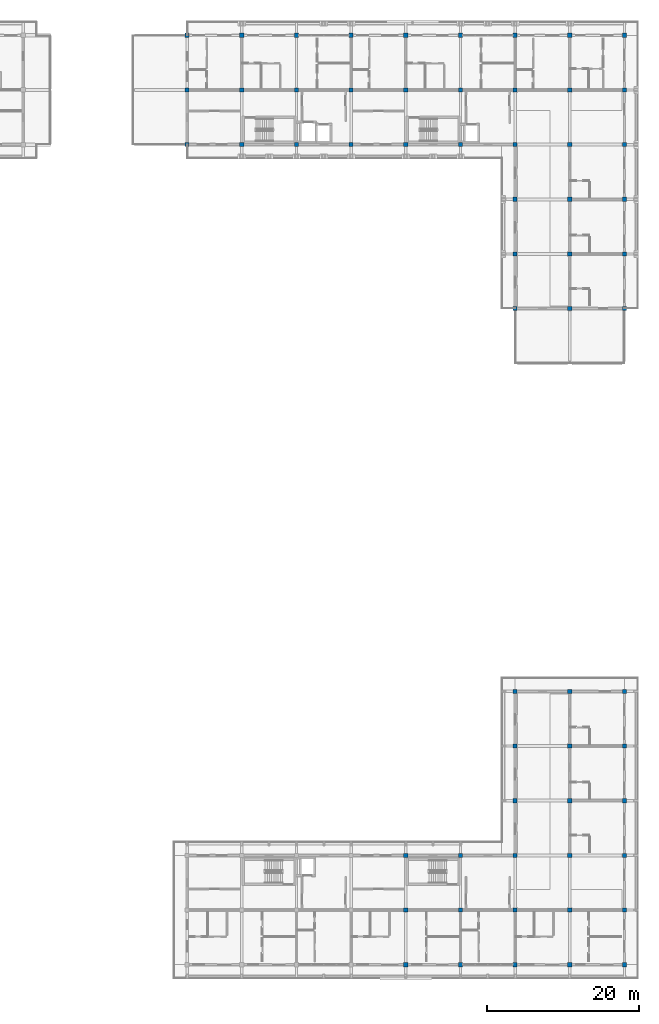
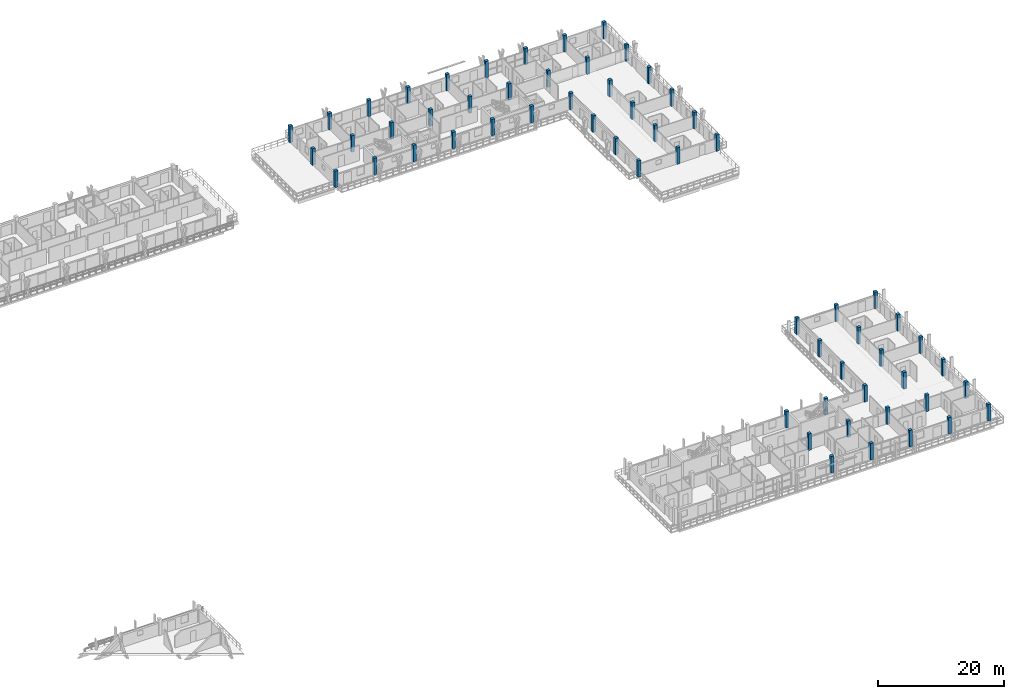
# One storey, part 2 of 73: 60 columns.
"""IFC4 building model written with IfcOpenShell, lengths in metres."""

from ifc_helpers import new_model, si_unit, direction, frame, origin, origin_2d, place, context, subcontext, project, spatial, rectangle, extrude, material, material_profile, profile_set, type_object, element, save


model = new_model("IFC4")

# Units and contexts
model_context = context("Model", 3, precision=1e-05, world=origin(), true_north=direction((0.0, 1.0)))
body_context = subcontext(model_context, "Body", "Model", "MODEL_VIEW")
ifc_project = project(units=[si_unit("LENGTHUNIT", "METRE"), si_unit("AREAUNIT", "SQUARE_METRE"), si_unit("VOLUMEUNIT", "CUBIC_METRE"), si_unit("PLANEANGLEUNIT", "RADIAN"), si_unit("MASSUNIT", "GRAM", prefix="KILO")], contexts=[model_context])

# Site, building, storey
site_placement = place(None, origin())
site = spatial("IfcSite", under=ifc_project, at=site_placement, CompositionType="ELEMENT")
building_placement = place(site_placement, origin())
building = spatial("IfcBuilding", under=site, at=building_placement, Name="Suanplinth Sawtooth Commons", CompositionType="ELEMENT")
storey_placement = place(building_placement, frame((0.0, 0.0, 21.89990234375)))
storey = spatial("IfcBuildingStorey", under=building, at=storey_placement, Name="L06", CompositionType="ELEMENT", Elevation=21.89990234375)

# Columns
ifc_material = material(Name="Precast concrete C40/50", Category="concrete")
ifc_material_profile = material_profile(ifc_material, rectangle(XDim=0.550048828125, YDim=0.550048828125, at=origin_2d()), Name="PC-COL 550x550")
ifc_profile_set = profile_set([ifc_material_profile], Name="Precast concrete C40/50")
column_type = type_object("IfcColumnType", Name="C-05", PredefinedType="COLUMN", material=ifc_profile_set)
for number, where, z_axis, x_axis, name in (
    (1, (129.60009765625, 108.0, 0.0), (0.0, 0.0, 1.0), (1.0, 0.0, 0.0), "Column L06 19/R"),
    (2, (129.60009765625, 115.199951171875, 0.0), (0.0, 0.0, 1.0), (1.0, 0.0, 0.0), "Column L06 19/S"),
    (3, (129.60009765625, 122.39990234375, 0.0), (0.0, 0.0, 1.0), (1.0, 0.0, 0.0), "Column L06 19/T"),
    (4, (136.800048828125, 108.0, 0.0), (0.0, 0.0, 1.0), (1.0, 0.0, 0.0), "Column L06 20/R"),
    (5, (136.800048828125, 115.199951171875, 0.0), (0.0, 0.0, 1.0), (1.0, 0.0, 0.0), "Column L06 20/S"),
    (6, (136.800048828125, 122.39990234375, 0.0), (0.0, 0.0, 1.0), (1.0, 0.0, 0.0), "Column L06 20/T"),
    (7, (144.0, 108.0, 0.0), (0.0, 0.0, 1.0), (1.0, 0.0, 0.0), "Column L06 21/R"),
    (8, (144.0, 115.199951171875, 0.0), (0.0, 0.0, 1.0), (1.0, 0.0, 0.0), "Column L06 21/S"),
    (9, (144.0, 122.39990234375, 0.0), (0.0, 0.0, 1.0), (1.0, 0.0, 0.0), "Column L06 21/T"),
    (10, (151.199951171875, 108.0, 0.0), (0.0, 0.0, 1.0), (1.0, 0.0, 0.0), "Column L06 22/R"),
    (11, (151.199951171875, 115.199951171875, 0.0), (0.0, 0.0, 1.0), (1.0, 0.0, 0.0), "Column L06 22/S"),
    (12, (151.199951171875, 122.39990234375, 0.0), (0.0, 0.0, 1.0), (1.0, 0.0, 0.0), "Column L06 22/T"),
    (13, (158.39990234375, 0.0, 0.0), (0.0, 0.0, 1.0), (1.0, 0.0, 0.0), "Column L06 23/A"),
    (14, (158.39990234375, 7.199951171875, 0.0), (0.0, 0.0, 1.0), (1.0, 0.0, 0.0), "Column L06 23/B"),
    (15, (158.39990234375, 14.39990234375, 0.0), (0.0, 0.0, 1.0), (1.0, 0.0, 0.0), "Column L06 23/C"),
    (16, (158.39990234375, 108.0, 0.0), (0.0, 0.0, 1.0), (1.0, 0.0, 0.0), "Column L06 23/R"),
    (17, (158.39990234375, 115.199951171875, 0.0), (0.0, 0.0, 1.0), (1.0, 0.0, 0.0), "Column L06 23/S"),
    (18, (158.39990234375, 122.39990234375, 0.0), (0.0, 0.0, 1.0), (1.0, 0.0, 0.0), "Column L06 23/T"),
    (19, (165.60009765625, 0.0, 0.0), (0.0, 0.0, 1.0), (1.0, 0.0, 0.0), "Column L06 24/A"),
    (20, (165.60009765625, 7.199951171875, 0.0), (0.0, 0.0, 1.0), (1.0, 0.0, 0.0), "Column L06 24/B"),
    (21, (165.60009765625, 14.39990234375, 0.0), (0.0, 0.0, 1.0), (1.0, 0.0, 0.0), "Column L06 24/C"),
    (22, (165.60009765625, 108.0, 0.0), (0.0, 0.0, 1.0), (1.0, 0.0, 0.0), "Column L06 24/R"),
    (23, (165.60009765625, 115.199951171875, 0.0), (0.0, 0.0, 1.0), (1.0, 0.0, 0.0), "Column L06 24/S"),
    (24, (165.60009765625, 122.39990234375, 0.0), (0.0, 0.0, 1.0), (1.0, 0.0, 0.0), "Column L06 24/T"),
    (25, (172.800048828125, 0.0, 0.0), (0.0, 0.0, 1.0), (1.0, 0.0, 0.0), "Column L06 25/A"),
    (26, (172.800048828125, 7.199951171875, 0.0), (0.0, 0.0, 1.0), (1.0, 0.0, 0.0), "Column L06 25/B"),
    (27, (172.800048828125, 14.39990234375, 0.0), (0.0, 0.0, 1.0), (1.0, 0.0, 0.0), "Column L06 25/C"),
    (28, (172.800048828125, 21.60009765625, 0.0), (0.0, 0.0, 1.0), (1.0, 0.0, 0.0), "Column L06 25/D"),
    (29, (172.800048828125, 28.800048828125, 0.0), (0.0, 0.0, 1.0), (1.0, 0.0, 0.0), "Column L06 25/E"),
    (30, (172.800048828125, 36.0, 0.0), (0.0, 0.0, 1.0), (1.0, 0.0, 0.0), "Column L06 25/F"),
    (31, (172.800048828125, 86.39990234375, 0.0), (0.0, 0.0, 1.0), (1.0, 0.0, 0.0), "Column L06 25/N"),
    (32, (172.800048828125, 93.60009765625, 0.0), (0.0, 0.0, 1.0), (1.0, 0.0, 0.0), "Column L06 25/P"),
    (33, (172.800048828125, 100.800048828125, 0.0), (0.0, 0.0, 1.0), (1.0, 0.0, 0.0), "Column L06 25/Q"),
    (34, (172.800048828125, 108.0, 0.0), (0.0, 0.0, 1.0), (1.0, 0.0, 0.0), "Column L06 25/R"),
    (35, (172.800048828125, 115.199951171875, 0.0), (0.0, 0.0, 1.0), (1.0, 0.0, 0.0), "Column L06 25/S"),
    (36, (172.800048828125, 122.39990234375, 0.0), (0.0, 0.0, 1.0), (1.0, 0.0, 0.0), "Column L06 25/T"),
    (37, (180.0, 0.0, 0.0), (0.0, 0.0, 1.0), (1.0, 0.0, 0.0), "Column L06 26/A"),
    (38, (180.0, 7.199951171875, 0.0), (0.0, 0.0, 1.0), (1.0, 0.0, 0.0), "Column L06 26/B"),
    (39, (180.0, 14.39990234375, 0.0), (0.0, 0.0, 1.0), (1.0, 0.0, 0.0), "Column L06 26/C"),
    (40, (180.0, 21.60009765625, 0.0), (0.0, 0.0, 1.0), (1.0, 0.0, 0.0), "Column L06 26/D"),
    (41, (180.0, 28.800048828125, 0.0), (0.0, 0.0, 1.0), (1.0, 0.0, 0.0), "Column L06 26/E"),
    (42, (180.0, 36.0, 0.0), (0.0, 0.0, 1.0), (1.0, 0.0, 0.0), "Column L06 26/F"),
    (43, (180.0, 86.39990234375, 0.0), (0.0, 0.0, 1.0), (1.0, 0.0, 0.0), "Column L06 26/N"),
    (44, (180.0, 93.60009765625, 0.0), (0.0, 0.0, 1.0), (1.0, 0.0, 0.0), "Column L06 26/P"),
    (45, (180.0, 100.800048828125, 0.0), (0.0, 0.0, 1.0), (1.0, 0.0, 0.0), "Column L06 26/Q"),
    (46, (180.0, 108.0, 0.0), (0.0, 0.0, 1.0), (1.0, 0.0, 0.0), "Column L06 26/R"),
    (47, (180.0, 115.199951171875, 0.0), (0.0, 0.0, 1.0), (1.0, 0.0, 0.0), "Column L06 26/S"),
    (48, (180.0, 122.39990234375, 0.0), (0.0, 0.0, 1.0), (1.0, 0.0, 0.0), "Column L06 26/T"),
    (49, (187.199951171875, 0.0, 0.0), (0.0, 0.0, 1.0), (1.0, 0.0, 0.0), "Column L06 27/A"),
    (50, (187.199951171875, 7.199951171875, 0.0), (0.0, 0.0, 1.0), (1.0, 0.0, 0.0), "Column L06 27/B"),
    (51, (187.199951171875, 14.39990234375, 0.0), (0.0, 0.0, 1.0), (1.0, 0.0, 0.0), "Column L06 27/C"),
    (52, (187.199951171875, 21.60009765625, 0.0), (0.0, 0.0, 1.0), (1.0, 0.0, 0.0), "Column L06 27/D"),
    (53, (187.199951171875, 28.800048828125, 0.0), (0.0, 0.0, 1.0), (1.0, 0.0, 0.0), "Column L06 27/E"),
    (54, (187.199951171875, 36.0, 0.0), (0.0, 0.0, 1.0), (1.0, 0.0, 0.0), "Column L06 27/F"),
    (55, (187.199951171875, 86.39990234375, 0.0), (0.0, 0.0, 1.0), (1.0, 0.0, 0.0), "Column L06 27/N"),
    (56, (187.199951171875, 93.60009765625, 0.0), (0.0, 0.0, 1.0), (1.0, 0.0, 0.0), "Column L06 27/P"),
    (57, (187.199951171875, 100.800048828125, 0.0), (0.0, 0.0, 1.0), (1.0, 0.0, 0.0), "Column L06 27/Q"),
    (58, (187.199951171875, 108.0, 0.0), (0.0, 0.0, 1.0), (1.0, 0.0, 0.0), "Column L06 27/R"),
    (59, (187.199951171875, 115.199951171875, 0.0), (0.0, 0.0, 1.0), (1.0, 0.0, 0.0), "Column L06 27/S"),
    (60, (187.199951171875, 122.39990234375, 0.0), (0.0, 0.0, 1.0), (1.0, 0.0, 0.0), "Column L06 27/T"),
):
    element("IfcColumn", number, at=place(storey_placement, frame(where, z_axis=z_axis, x_axis=x_axis)), inside=storey, type_object=column_type, Name=name, PredefinedType="COLUMN", context=body_context, shape_type="SweptSolid", body=[
        extrude(rectangle(XDim=0.550048828125, YDim=0.550048828125, at=origin_2d()), origin(), (0.0, 0.0, 1.0), 3.2001953125),
    ])

save(model, "model.ifc")
